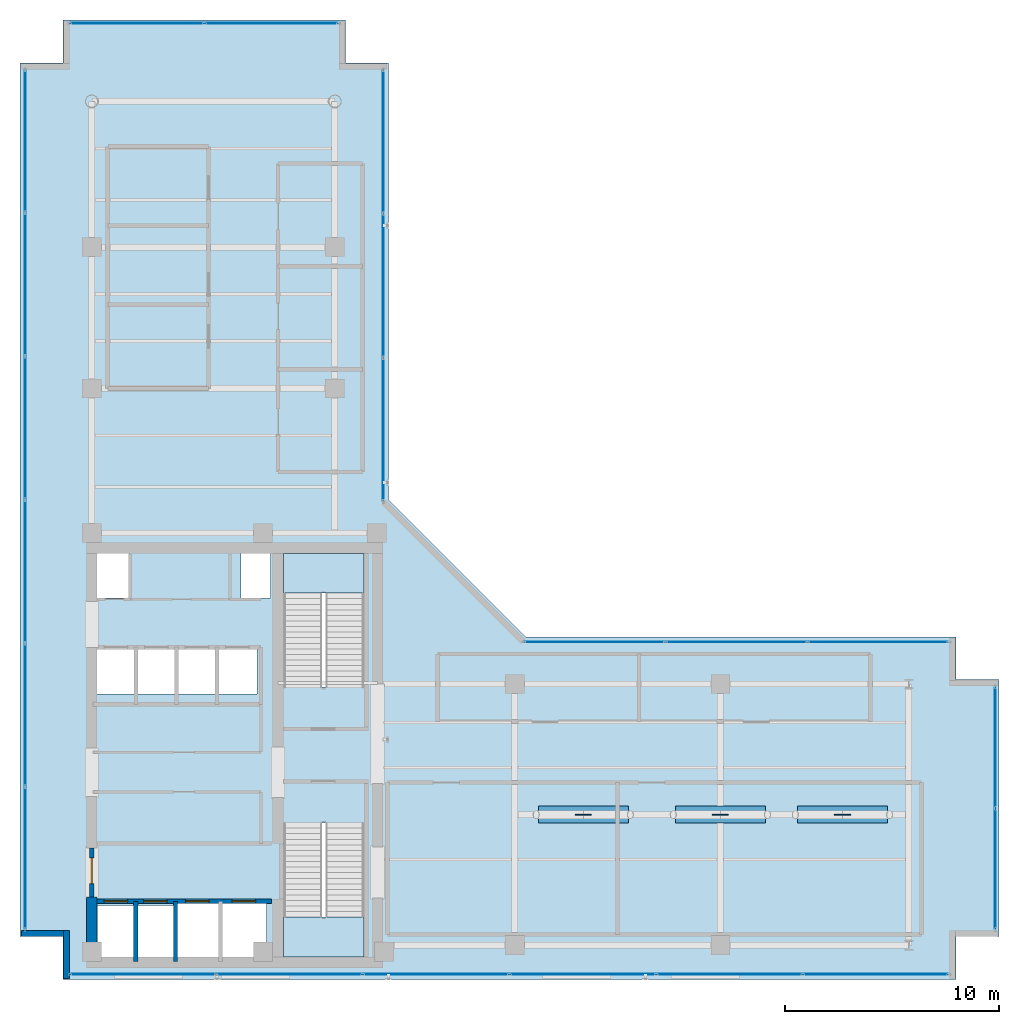
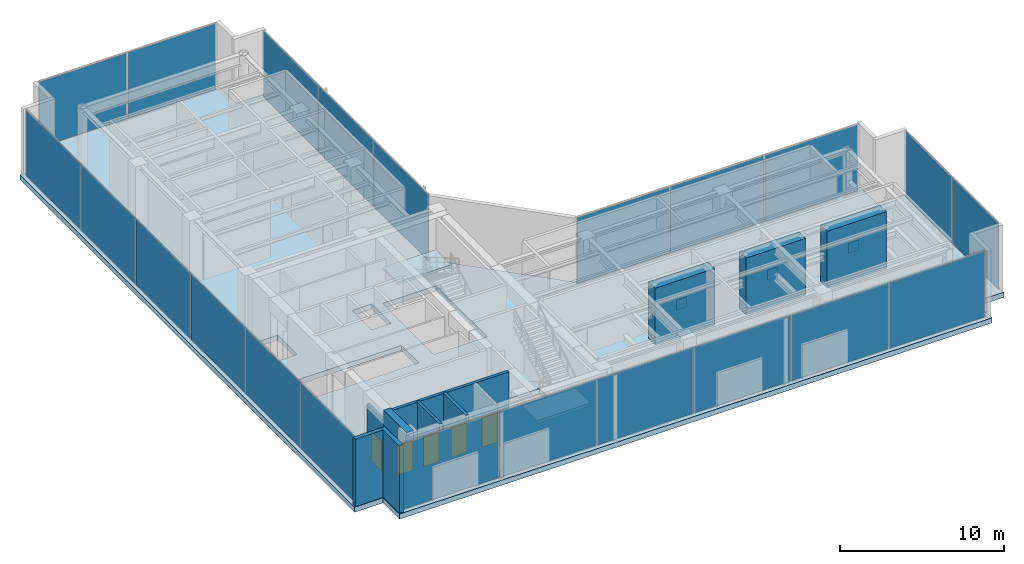
# One storey, part 24 of 29: 28 plates, 7 walls, 5 doors, 3 slabs, 5 openings, 8 elements without a shape of their own.
"""IFC4 building model written with IfcOpenShell, lengths in metres."""

from ifc_helpers import new_model, si_unit, direction, frame, frame_2d, origin, origin_with_axes, origin_2d, place, context, subcontext, project, spatial, polyline, rectangle, outline, extrude, source, transform, mapped, material, layer, layer_set, type_object, element, fill, aggregate, save


model = new_model("IFC4")

# Units and contexts
model_context = context("Model", 3, precision=1e-05, world=origin(), true_north=direction((0.0, 1.0)))
body_context = subcontext(model_context, "Body", "Model", "MODEL_VIEW")
ifc_project = project(units=[si_unit("LENGTHUNIT", "METRE"), si_unit("AREAUNIT", "SQUARE_METRE"), si_unit("VOLUMEUNIT", "CUBIC_METRE"), si_unit("PLANEANGLEUNIT", "RADIAN"), si_unit("MASSUNIT", "GRAM", prefix="KILO")], contexts=[model_context])

# Site, building, storey
site_placement = place(None, origin())
site = spatial("IfcSite", under=ifc_project, at=site_placement, CompositionType="ELEMENT")
building_placement = place(site_placement, origin())
building = spatial("IfcBuilding", under=site, at=building_placement, Name="Kolvaren Waterfront Exchange", CompositionType="ELEMENT")
storey_placement = place(building_placement, frame((0.0, 0.0, 338.800048828125)))
storey = spatial("IfcBuildingStorey", under=building, at=storey_placement, Name="L87", CompositionType="ELEMENT", Elevation=338.800048828125)

# Stair, slab
ifc_material_1 = material(Name="Concrete C40/50", Category="concrete")
stair_type = type_object("IfcStairType", Name="ARC-STAIR-5400", PredefinedType="HALF_TURN_STAIR", material=ifc_material_1)
stair_1_placement = place(storey_placement, origin())
stair_1 = element("IfcStair", 1, at=stair_1_placement, inside=storey, type_object=stair_type, Name="L87 Smoke-proof exit stair ST1", PredefinedType="HALF_TURN_STAIR")
ifc_layer_1 = layer(ifc_material_1, 0.199951171875, Name="Concrete C40/50")
ifc_layer_set_1 = layer_set([ifc_layer_1], Name="Concrete C40/50")
slab_type_1 = type_object("IfcSlabType", Name="STR-LANDING-200", PredefinedType="LANDING", material=ifc_layer_set_1)
slab_1_placement = place(storey_placement, frame((0.0, 0.0, 2.5)))
slab_1 = element("IfcSlab", 2, at=slab_1_placement, type_object=slab_type_1, Name="ST1 landing 1", PredefinedType="LANDING", context=body_context, shape_type="SweptSolid", body=[
    extrude(outline(polyline([(16.39990234375, 6.510009765625), (16.39990234375, 4.64990234375), (20.159912109375, 4.64990234375), (20.159912109375, 6.510009765625), (16.39990234375, 6.510009765625)])), origin(), (0.0, 0.0, 1.0), 0.199951171875),
])
aggregate(stair_1, [slab_1])

stair_2_placement = place(storey_placement, origin())
stair_2 = element("IfcStair", 3, at=stair_2_placement, inside=storey, type_object=stair_type, Name="L87 Smoke-proof exit stair ST2", PredefinedType="HALF_TURN_STAIR")
slab_2_placement = place(storey_placement, frame((0.0, 0.0, 2.5)))
slab_2 = element("IfcSlab", 4, at=slab_2_placement, type_object=slab_type_1, Name="ST2 landing 1", PredefinedType="LANDING", context=body_context, shape_type="SweptSolid", body=[
    extrude(outline(polyline([(20.159912109375, 21.639892578125), (20.159912109375, 23.5), (16.39990234375, 23.5), (16.39990234375, 21.639892578125), (20.159912109375, 21.639892578125)])), origin(), (0.0, 0.0, 1.0), 0.199951171875),
])
aggregate(stair_2, [slab_2])

# Slab
ifc_layer_2 = layer(ifc_material_1, 0.3798828125, Name="Concrete C40/50")
ifc_layer_set_2 = layer_set([ifc_layer_2], Name="Concrete C40/50")
slab_type_2 = type_object("IfcSlabType", Name="STR-SLAB-380", PredefinedType="FLOOR", material=ifc_layer_set_2)
slab_3_placement = place(storey_placement, frame((0.0, 0.0, -0.380126953125)))
element("IfcSlab", 5, at=slab_3_placement, inside=storey, type_object=slab_type_2, Name="L87 structural floor slab", PredefinedType="FLOOR", context=body_context, shape_type="SweptSolid", body=[
    extrude(outline(polyline([(6.10009765625, 3.60009765625), (47.800048828125, 3.60009765625), (47.800048828125, 5.60009765625), (49.800048828125, 5.60009765625), (49.800048828125, 17.60009765625), (47.800048828125, 17.60009765625), (47.800048828125, 19.60009765625), (27.699951171875, 19.60009765625), (21.300048828125, 26.0), (21.300048828125, 46.39990234375), (19.300048828125, 46.39990234375), (19.300048828125, 48.39990234375), (6.10009765625, 48.39990234375), (6.10009765625, 46.39990234375), (4.10009765625, 46.39990234375), (4.10009765625, 5.60009765625), (6.10009765625, 5.60009765625), (6.10009765625, 3.60009765625)]), holes=[polyline([(11.320068359375, 7.260009765625), (15.610107421875, 7.260009765625), (15.610107421875, 4.5400390625), (7.719970703125, 4.5400390625), (7.719970703125, 7.06005859375), (11.320068359375, 7.06005859375), (11.320068359375, 7.260009765625)]), polyline([(20.159912109375, 10.89990234375), (20.159912109375, 4.64990234375), (16.39990234375, 4.64990234375), (16.39990234375, 10.89990234375), (20.159912109375, 10.89990234375)]), polyline([(7.669921875, 19.06005859375), (15.159912109375, 19.06005859375), (15.159912109375, 16.93994140625), (7.669921875, 16.93994140625), (7.669921875, 19.06005859375)]), polyline([(16.39990234375, 17.25), (16.39990234375, 23.5), (20.159912109375, 23.5), (20.159912109375, 17.25), (16.39990234375, 17.25)]), polyline([(7.60009765625, 23.780029296875), (9.179931640625, 23.780029296875), (9.179931640625, 21.419921875), (7.60009765625, 21.419921875), (7.60009765625, 23.780029296875)]), polyline([(14.419921875, 23.780029296875), (15.800048828125, 23.780029296875), (15.800048828125, 21.419921875), (14.419921875, 21.419921875), (14.419921875, 23.780029296875)])]), origin(), (0.0, 0.0, 1.0), 0.380126953125),
])

# Plates
ifc_material_2 = material(Name="Steel S355", Category="steel")
ifc_layer_3 = layer(ifc_material_2, 0.02001953125, Name="Steel S355")
ifc_layer_set_3 = layer_set([ifc_layer_3], Name="Steel S355")
plate_type_1 = type_object("IfcPlateType", Name="STR-PL-WT", PredefinedType="SHEET", material=ifc_layer_set_3)
shared_shape_1 = source(origin_with_axes(), body_context, "Body", "SweptSolid", [
    extrude(rectangle(XDim=4.199951171875, YDim=0.800048828125, at=origin_2d()), origin(), (0.0, 0.0, 1.0), 4.199951171875),
])
for number, where, z_axis, x_axis, name in (
    (6, (30.39990234375, 11.300048828125, 0.39990234375), (0.0, 0.0, 1.0), (1.0, 0.0, 0.0), "L87 shrouded WIND TURBINE 1 rotor assembly"),
    (7, (36.800048828125, 11.300048828125, 0.39990234375), (0.0, 0.0, 1.0), (1.0, 0.0, 0.0), "L87 shrouded WIND TURBINE 2 rotor assembly"),
    (8, (42.5, 11.300048828125, 0.39990234375), (0.0, 0.0, 1.0), (1.0, 0.0, 0.0), "L87 shrouded WIND TURBINE 3 rotor assembly"),
):
    element("IfcPlate", number, at=place(storey_placement, frame(where, z_axis=z_axis, x_axis=x_axis)), inside=storey, type_object=plate_type_1, Name=name, PredefinedType="SHEET", context=body_context, shape_type="MappedRepresentation", body=[
        mapped(shared_shape_1, transform((0.0, 0.0, 0.0), x_axis=(1.0, 0.0, 0.0), y_axis=(0.0, 1.0, 0.0), z_axis=(0.0, 0.0, 1.0), scale=1.0)),
    ])
ifc_material_3 = material(Name="Steel S460", Category="steel")
ifc_layer_4 = layer(ifc_material_3, 0.050048828125, Name="Steel S460")
ifc_layer_set_4 = layer_set([ifc_layer_4], Name="Steel S460")
plate_type_2 = type_object("IfcPlateType", Name="STR-PL-TN1", PredefinedType="USERDEFINED", material=ifc_layer_set_4)
shared_shape_2 = source(origin_with_axes(), body_context, "Body", "SweptSolid", [
    extrude(rectangle(XDim=0.75, YDim=0.050048828125, at=origin_2d()), origin(), (0.0, 0.0, 1.0), 0.75),
])
for number, where, z_axis, x_axis, name in (
    (9, (30.39990234375, 11.300048828125, 2.125), (0.0, 0.0, 1.0), (1.0, 0.0, 0.0), "L87 Venturi turbine portal flange cap plate 1"),
    (10, (36.800048828125, 11.300048828125, 2.125), (0.0, 0.0, 1.0), (1.0, 0.0, 0.0), "L87 Venturi turbine portal flange cap plate 2"),
    (11, (42.5, 11.300048828125, 2.125), (0.0, 0.0, 1.0), (1.0, 0.0, 0.0), "L87 Venturi turbine portal flange cap plate 3"),
):
    element("IfcPlate", number, at=place(storey_placement, frame(where, z_axis=z_axis, x_axis=x_axis)), inside=storey, type_object=plate_type_2, Name=name, ObjectType="FLANGE PLATE", PredefinedType="USERDEFINED", context=body_context, shape_type="MappedRepresentation", body=[
        mapped(shared_shape_2, transform((0.0, 0.0, 0.0), x_axis=(1.0, 0.0, 0.0), y_axis=(0.0, 1.0, 0.0), z_axis=(0.0, 0.0, 1.0), scale=1.0)),
    ])

# Curtain wall, plates
ifc_material_4 = material(Name="Anodised dark bronze spandrel aluminium", Category="aluminium")
ifc_layer_5 = layer(ifc_material_4, 0.219970703125, Name="Anodised dark bronze spandrel aluminium")
ifc_layer_set_5 = layer_set([ifc_layer_5], Name="Anodised dark bronze spandrel aluminium")
curtain_wall_type = type_object("IfcCurtainWallType", Name="ARC-CW-SYS6", PredefinedType="USERDEFINED", material=ifc_layer_set_5)
curtain_wall_1_placement = place(storey_placement, origin())
curtain_wall_1 = element("IfcCurtainWall", 12, at=curtain_wall_1_placement, inside=storey, type_object=curtain_wall_type, Name="L87 stick curtain wall CW6 (CW-L87-S)", ObjectType="STICK CURTAIN WALL", PredefinedType="USERDEFINED")
ifc_layer_6 = layer(ifc_material_4, 0.0419921875, Name="Anodised dark bronze spandrel aluminium")
ifc_layer_set_6 = layer_set([ifc_layer_6], Name="Anodised dark bronze spandrel aluminium")
plate_type_3 = type_object("IfcPlateType", Name="ARC-CWP-42", PredefinedType="CURTAIN_PANEL", material=ifc_layer_set_6)
shared_shape_3 = source(origin_with_axes(), body_context, "Body", "SweptSolid", [
    extrude(rectangle(XDim=6.737548828125, YDim=0.0419921875, at=origin_2d()), origin(), (0.0, 0.0, 1.0), 4.889892578125),
])
plate_1_placement = place(storey_placement, frame((9.84375, 3.840087890625, 0.06494140625), z_axis=(0.0, 0.0, 1.0), x_axis=(1.0, 0.0, 0.0)))
plate_1 = element("IfcPlate", 13, at=plate_1_placement, type_object=plate_type_3, Name="CW6 panel 1.1", PredefinedType="CURTAIN_PANEL", context=body_context, shape_type="MappedRepresentation", body=[
    mapped(shared_shape_3, transform((0.0, 0.0, 0.0), x_axis=(1.0, 0.0, 0.0), y_axis=(0.0, 1.0, 0.0), z_axis=(0.0, 0.0, 1.0), scale=1.0)),
])
plate_2_placement = place(storey_placement, frame((44.05615234375, 3.840087890625, 0.06494140625), z_axis=(0.0, 0.0, 1.0), x_axis=(1.0, 0.0, 0.0)))
plate_2 = element("IfcPlate", 14, at=plate_2_placement, type_object=plate_type_3, Name="CW6 panel 6.1", PredefinedType="CURTAIN_PANEL", context=body_context, shape_type="MappedRepresentation", body=[
    mapped(shared_shape_3, transform((0.0, 0.0, 0.0), x_axis=(1.0, 0.0, 0.0), y_axis=(0.0, 1.0, 0.0), z_axis=(0.0, 0.0, 1.0), scale=1.0)),
])
shared_shape_4 = source(origin_with_axes(), body_context, "Body", "SweptSolid", [
    extrude(rectangle(XDim=6.77490234375, YDim=0.0419921875, at=origin_2d()), origin(), (0.0, 0.0, 1.0), 4.889892578125),
])
plate_3_placement = place(storey_placement, frame((16.675048828125, 3.840087890625, 0.06494140625), z_axis=(0.0, 0.0, 1.0), x_axis=(1.0, 0.0, 0.0)))
plate_3 = element("IfcPlate", 15, at=plate_3_placement, type_object=plate_type_3, Name="CW6 panel 2.1", PredefinedType="CURTAIN_PANEL", context=body_context, shape_type="MappedRepresentation", body=[
    mapped(shared_shape_4, transform((0.0, 0.0, 0.0), x_axis=(1.0, 0.0, 0.0), y_axis=(0.0, 1.0, 0.0), z_axis=(0.0, 0.0, 1.0), scale=1.0)),
])
plate_4_placement = place(storey_placement, frame((23.52490234375, 3.840087890625, 0.06494140625), z_axis=(0.0, 0.0, 1.0), x_axis=(1.0, 0.0, 0.0)))
plate_4 = element("IfcPlate", 16, at=plate_4_placement, type_object=plate_type_3, Name="CW6 panel 3.1", PredefinedType="CURTAIN_PANEL", context=body_context, shape_type="MappedRepresentation", body=[
    mapped(shared_shape_4, transform((0.0, 0.0, 0.0), x_axis=(1.0, 0.0, 0.0), y_axis=(0.0, 1.0, 0.0), z_axis=(0.0, 0.0, 1.0), scale=1.0)),
])
plate_5_placement = place(storey_placement, frame((30.375, 3.840087890625, 0.06494140625), z_axis=(0.0, 0.0, 1.0), x_axis=(1.0, 0.0, 0.0)))
plate_5 = element("IfcPlate", 17, at=plate_5_placement, type_object=plate_type_3, Name="CW6 panel 4.1", PredefinedType="CURTAIN_PANEL", context=body_context, shape_type="MappedRepresentation", body=[
    mapped(shared_shape_4, transform((0.0, 0.0, 0.0), x_axis=(1.0, 0.0, 0.0), y_axis=(0.0, 1.0, 0.0), z_axis=(0.0, 0.0, 1.0), scale=1.0)),
])
plate_6_placement = place(storey_placement, frame((37.22509765625, 3.840087890625, 0.06494140625), z_axis=(0.0, 0.0, 1.0), x_axis=(1.0, 0.0, 0.0)))
plate_6 = element("IfcPlate", 18, at=plate_6_placement, type_object=plate_type_3, Name="CW6 panel 5.1", PredefinedType="CURTAIN_PANEL", context=body_context, shape_type="MappedRepresentation", body=[
    mapped(shared_shape_4, transform((0.0, 0.0, 0.0), x_axis=(1.0, 0.0, 0.0), y_axis=(0.0, 1.0, 0.0), z_axis=(0.0, 0.0, 1.0), scale=1.0)),
])
aggregate(curtain_wall_1, [plate_1, plate_3, plate_4, plate_5, plate_6, plate_2])

curtain_wall_2_placement = place(storey_placement, origin())
curtain_wall_2 = element("IfcCurtainWall", 19, at=curtain_wall_2_placement, inside=storey, type_object=curtain_wall_type, Name="L87 stick curtain wall CW6 (CW-L87-W)", ObjectType="STICK CURTAIN WALL", PredefinedType="USERDEFINED")
shared_shape_5 = source(origin_with_axes(), body_context, "Body", "SweptSolid", [
    extrude(rectangle(XDim=6.58740234375, YDim=0.0419921875, at=origin_2d()), origin(), (0.0, 0.0, 1.0), 4.889892578125),
])
plate_7_placement = place(storey_placement, frame((4.340087890625, 9.268798828125, 0.06494140625), z_axis=(0.0, 0.0, 1.0), x_axis=(0.0, 1.0, 0.0)))
plate_7 = element("IfcPlate", 20, at=plate_7_placement, type_object=plate_type_3, Name="CW6 panel 1.1", PredefinedType="CURTAIN_PANEL", context=body_context, shape_type="MappedRepresentation", body=[
    mapped(shared_shape_5, transform((0.0, 0.0, 0.0), x_axis=(1.0, 0.0, 0.0), y_axis=(0.0, 1.0, 0.0), z_axis=(0.0, 0.0, 1.0), scale=1.0)),
])
plate_8_placement = place(storey_placement, frame((4.340087890625, 42.731201171875, 0.06494140625), z_axis=(0.0, 0.0, 1.0), x_axis=(0.0, 1.0, 0.0)))
plate_8 = element("IfcPlate", 21, at=plate_8_placement, type_object=plate_type_3, Name="CW6 panel 6.1", PredefinedType="CURTAIN_PANEL", context=body_context, shape_type="MappedRepresentation", body=[
    mapped(shared_shape_5, transform((0.0, 0.0, 0.0), x_axis=(1.0, 0.0, 0.0), y_axis=(0.0, 1.0, 0.0), z_axis=(0.0, 0.0, 1.0), scale=1.0)),
])
shared_shape_6 = source(origin_with_axes(), body_context, "Body", "SweptSolid", [
    extrude(rectangle(XDim=6.625, YDim=0.0419921875, at=origin_2d()), origin(), (0.0, 0.0, 1.0), 4.889892578125),
])
plate_9_placement = place(storey_placement, frame((4.340087890625, 15.949951171875, 0.06494140625), z_axis=(0.0, 0.0, 1.0), x_axis=(0.0, 1.0, 0.0)))
plate_9 = element("IfcPlate", 22, at=plate_9_placement, type_object=plate_type_3, Name="CW6 panel 2.1", PredefinedType="CURTAIN_PANEL", context=body_context, shape_type="MappedRepresentation", body=[
    mapped(shared_shape_6, transform((0.0, 0.0, 0.0), x_axis=(1.0, 0.0, 0.0), y_axis=(0.0, 1.0, 0.0), z_axis=(0.0, 0.0, 1.0), scale=1.0)),
])
plate_10_placement = place(storey_placement, frame((4.340087890625, 22.64990234375, 0.06494140625), z_axis=(0.0, 0.0, 1.0), x_axis=(0.0, 1.0, 0.0)))
plate_10 = element("IfcPlate", 23, at=plate_10_placement, type_object=plate_type_3, Name="CW6 panel 3.1", PredefinedType="CURTAIN_PANEL", context=body_context, shape_type="MappedRepresentation", body=[
    mapped(shared_shape_6, transform((0.0, 0.0, 0.0), x_axis=(1.0, 0.0, 0.0), y_axis=(0.0, 1.0, 0.0), z_axis=(0.0, 0.0, 1.0), scale=1.0)),
])
plate_11_placement = place(storey_placement, frame((4.340087890625, 29.35009765625, 0.06494140625), z_axis=(0.0, 0.0, 1.0), x_axis=(0.0, 1.0, 0.0)))
plate_11 = element("IfcPlate", 24, at=plate_11_placement, type_object=plate_type_3, Name="CW6 panel 4.1", PredefinedType="CURTAIN_PANEL", context=body_context, shape_type="MappedRepresentation", body=[
    mapped(shared_shape_6, transform((0.0, 0.0, 0.0), x_axis=(1.0, 0.0, 0.0), y_axis=(0.0, 1.0, 0.0), z_axis=(0.0, 0.0, 1.0), scale=1.0)),
])
plate_12_placement = place(storey_placement, frame((4.340087890625, 36.050048828125, 0.06494140625), z_axis=(0.0, 0.0, 1.0), x_axis=(0.0, 1.0, 0.0)))
plate_12 = element("IfcPlate", 25, at=plate_12_placement, type_object=plate_type_3, Name="CW6 panel 5.1", PredefinedType="CURTAIN_PANEL", context=body_context, shape_type="MappedRepresentation", body=[
    mapped(shared_shape_6, transform((0.0, 0.0, 0.0), x_axis=(1.0, 0.0, 0.0), y_axis=(0.0, 1.0, 0.0), z_axis=(0.0, 0.0, 1.0), scale=1.0)),
])
aggregate(curtain_wall_2, [plate_7, plate_9, plate_10, plate_11, plate_12, plate_8])

curtain_wall_3_placement = place(storey_placement, origin())
curtain_wall_3 = element("IfcCurtainWall", 26, at=curtain_wall_3_placement, inside=storey, type_object=curtain_wall_type, Name="L87 stick curtain wall CW6 (CW-L87-NE)", ObjectType="STICK CURTAIN WALL", PredefinedType="USERDEFINED")
shared_shape_7 = source(origin_with_axes(), body_context, "Body", "SweptSolid", [
    extrude(rectangle(XDim=6.624267578125, YDim=0.0419921875, at=origin_2d()), origin(), (0.0, 0.0, 1.0), 4.889892578125),
])
plate_13_placement = place(storey_placement, frame((21.06005859375, 29.277099609375, 0.06494140625), z_axis=(0.0, 0.0, 1.0), x_axis=(0.0, 1.0, 0.0)))
plate_13 = element("IfcPlate", 27, at=plate_13_placement, type_object=plate_type_3, Name="CW6 panel 1.1", PredefinedType="CURTAIN_PANEL", context=body_context, shape_type="MappedRepresentation", body=[
    mapped(shared_shape_7, transform((0.0, 0.0, 0.0), x_axis=(1.0, 0.0, 0.0), y_axis=(0.0, 1.0, 0.0), z_axis=(0.0, 0.0, 1.0), scale=1.0)),
])
plate_14_placement = place(storey_placement, frame((21.06005859375, 42.712890625, 0.06494140625), z_axis=(0.0, 0.0, 1.0), x_axis=(0.0, 1.0, 0.0)))
plate_14 = element("IfcPlate", 28, at=plate_14_placement, type_object=plate_type_3, Name="CW6 panel 3.1", PredefinedType="CURTAIN_PANEL", context=body_context, shape_type="MappedRepresentation", body=[
    mapped(shared_shape_7, transform((0.0, 0.0, 0.0), x_axis=(1.0, 0.0, 0.0), y_axis=(0.0, 1.0, 0.0), z_axis=(0.0, 0.0, 1.0), scale=1.0)),
])
shared_shape_8 = source(origin_with_axes(), body_context, "Body", "SweptSolid", [
    extrude(rectangle(XDim=6.66162109375, YDim=0.0419921875, at=origin_2d()), origin(), (0.0, 0.0, 1.0), 4.889892578125),
])
plate_15_placement = place(storey_placement, frame((21.06005859375, 35.9951171875, 0.06494140625), z_axis=(0.0, 0.0, 1.0), x_axis=(0.0, 1.0, 0.0)))
plate_15 = element("IfcPlate", 29, at=plate_15_placement, type_object=plate_type_3, Name="CW6 panel 2.1", PredefinedType="CURTAIN_PANEL", context=body_context, shape_type="MappedRepresentation", body=[
    mapped(shared_shape_8, transform((0.0, 0.0, 0.0), x_axis=(1.0, 0.0, 0.0), y_axis=(0.0, 1.0, 0.0), z_axis=(0.0, 0.0, 1.0), scale=1.0)),
])
aggregate(curtain_wall_3, [plate_13, plate_15, plate_14])

curtain_wall_4_placement = place(storey_placement, origin())
curtain_wall_4 = element("IfcCurtainWall", 30, at=curtain_wall_4_placement, inside=storey, type_object=curtain_wall_type, Name="L87 stick curtain wall CW6 (CW-L87-EN)", ObjectType="STICK CURTAIN WALL", PredefinedType="USERDEFINED")
shared_shape_9 = source(origin_with_axes(), body_context, "Body", "SweptSolid", [
    extrude(rectangle(XDim=6.524169921875, YDim=0.0419921875, at=origin_2d()), origin(), (0.0, 0.0, 1.0), 4.889892578125),
])
plate_16_placement = place(storey_placement, frame((30.927001953125, 19.360107421875, 0.06494140625), z_axis=(0.0, 0.0, 1.0), x_axis=(1.0, 0.0, 0.0)))
plate_16 = element("IfcPlate", 31, at=plate_16_placement, type_object=plate_type_3, Name="CW6 panel 1.1", PredefinedType="CURTAIN_PANEL", context=body_context, shape_type="MappedRepresentation", body=[
    mapped(shared_shape_9, transform((0.0, 0.0, 0.0), x_axis=(1.0, 0.0, 0.0), y_axis=(0.0, 1.0, 0.0), z_axis=(0.0, 0.0, 1.0), scale=1.0)),
])
plate_17_placement = place(storey_placement, frame((44.162841796875, 19.360107421875, 0.06494140625), z_axis=(0.0, 0.0, 1.0), x_axis=(1.0, 0.0, 0.0)))
plate_17 = element("IfcPlate", 32, at=plate_17_placement, type_object=plate_type_3, Name="CW6 panel 3.1", PredefinedType="CURTAIN_PANEL", context=body_context, shape_type="MappedRepresentation", body=[
    mapped(shared_shape_9, transform((0.0, 0.0, 0.0), x_axis=(1.0, 0.0, 0.0), y_axis=(0.0, 1.0, 0.0), z_axis=(0.0, 0.0, 1.0), scale=1.0)),
])
shared_shape_10 = source(origin_with_axes(), body_context, "Body", "SweptSolid", [
    extrude(rectangle(XDim=6.561767578125, YDim=0.0419921875, at=origin_2d()), origin(), (0.0, 0.0, 1.0), 4.889892578125),
])
plate_18_placement = place(storey_placement, frame((37.544921875, 19.360107421875, 0.06494140625), z_axis=(0.0, 0.0, 1.0), x_axis=(1.0, 0.0, 0.0)))
plate_18 = element("IfcPlate", 33, at=plate_18_placement, type_object=plate_type_3, Name="CW6 panel 2.1", PredefinedType="CURTAIN_PANEL", context=body_context, shape_type="MappedRepresentation", body=[
    mapped(shared_shape_10, transform((0.0, 0.0, 0.0), x_axis=(1.0, 0.0, 0.0), y_axis=(0.0, 1.0, 0.0), z_axis=(0.0, 0.0, 1.0), scale=1.0)),
])
aggregate(curtain_wall_4, [plate_16, plate_18, plate_17])

curtain_wall_5_placement = place(storey_placement, origin())
curtain_wall_5 = element("IfcCurtainWall", 34, at=curtain_wall_5_placement, inside=storey, type_object=curtain_wall_type, Name="L87 stick curtain wall CW6 (CW-L87-ET)", ObjectType="STICK CURTAIN WALL", PredefinedType="USERDEFINED")
shared_shape_11 = source(origin_with_axes(), body_context, "Body", "SweptSolid", [
    extrude(rectangle(XDim=5.58740234375, YDim=0.0419921875, at=origin_2d()), origin(), (0.0, 0.0, 1.0), 4.889892578125),
])
plate_19_placement = place(storey_placement, frame((49.639892578125, 8.768798828125, 0.06494140625), z_axis=(0.0, 0.0, 1.0), x_axis=(0.0, 1.0, 0.0)))
plate_19 = element("IfcPlate", 35, at=plate_19_placement, type_object=plate_type_3, Name="CW6 panel 1.1", PredefinedType="CURTAIN_PANEL", context=body_context, shape_type="MappedRepresentation", body=[
    mapped(shared_shape_11, transform((0.0, 0.0, 0.0), x_axis=(1.0, 0.0, 0.0), y_axis=(0.0, 1.0, 0.0), z_axis=(0.0, 0.0, 1.0), scale=1.0)),
])
plate_20_placement = place(storey_placement, frame((49.639892578125, 14.43115234375, 0.06494140625), z_axis=(0.0, 0.0, 1.0), x_axis=(0.0, 1.0, 0.0)))
plate_20 = element("IfcPlate", 36, at=plate_20_placement, type_object=plate_type_3, Name="CW6 panel 2.1", PredefinedType="CURTAIN_PANEL", context=body_context, shape_type="MappedRepresentation", body=[
    mapped(shared_shape_11, transform((0.0, 0.0, 0.0), x_axis=(1.0, 0.0, 0.0), y_axis=(0.0, 1.0, 0.0), z_axis=(0.0, 0.0, 1.0), scale=1.0)),
])
aggregate(curtain_wall_5, [plate_19, plate_20])

curtain_wall_6_placement = place(storey_placement, origin())
curtain_wall_6 = element("IfcCurtainWall", 37, at=curtain_wall_6_placement, inside=storey, type_object=curtain_wall_type, Name="L87 stick curtain wall CW6 (CW-L87-NT)", ObjectType="STICK CURTAIN WALL", PredefinedType="USERDEFINED")
shared_shape_12 = source(origin_with_axes(), body_context, "Body", "SweptSolid", [
    extrude(rectangle(XDim=6.1875, YDim=0.0419921875, at=origin_2d()), origin(), (0.0, 0.0, 1.0), 4.889892578125),
])
plate_21_placement = place(storey_placement, frame((9.56884765625, 48.239990234375, 0.06494140625), z_axis=(0.0, 0.0, 1.0), x_axis=(1.0, 0.0, 0.0)))
plate_21 = element("IfcPlate", 38, at=plate_21_placement, type_object=plate_type_3, Name="CW6 panel 1.1", PredefinedType="CURTAIN_PANEL", context=body_context, shape_type="MappedRepresentation", body=[
    mapped(shared_shape_12, transform((0.0, 0.0, 0.0), x_axis=(1.0, 0.0, 0.0), y_axis=(0.0, 1.0, 0.0), z_axis=(0.0, 0.0, 1.0), scale=1.0)),
])
plate_22_placement = place(storey_placement, frame((15.831298828125, 48.239990234375, 0.06494140625), z_axis=(0.0, 0.0, 1.0), x_axis=(1.0, 0.0, 0.0)))
plate_22 = element("IfcPlate", 39, at=plate_22_placement, type_object=plate_type_3, Name="CW6 panel 2.1", PredefinedType="CURTAIN_PANEL", context=body_context, shape_type="MappedRepresentation", body=[
    mapped(shared_shape_12, transform((0.0, 0.0, 0.0), x_axis=(1.0, 0.0, 0.0), y_axis=(0.0, 1.0, 0.0), z_axis=(0.0, 0.0, 1.0), scale=1.0)),
])
aggregate(curtain_wall_6, [plate_21, plate_22])

# Walls
ifc_material_5 = material(Name="Precast concrete C40/50", Category="concrete")
ifc_layer_7 = layer(ifc_material_5, 0.280029296875, Name="Precast concrete C40/50")
ifc_layer_set_7 = layer_set([ifc_layer_7], Name="Precast concrete C40/50")
wall_type_1 = type_object("IfcWallType", Name="ARC-EXT-TERR-280", PredefinedType="SOLIDWALL", material=ifc_layer_set_7)
wall_1_placement = place(storey_placement, frame((6.260009765625, 3.659912109375, 0.0), z_axis=(0.0, 0.0, 1.0), x_axis=(0.0, 1.0, 0.0)))
element("IfcWall", 40, at=wall_1_placement, inside=storey, type_object=wall_type_1, Name="L87 notched corner spandrel pier SW-A", PredefinedType="SOLIDWALL", context=body_context, shape_type="SweptSolid", body=[
    extrude(rectangle(XDim=2.239990234375, YDim=0.280029296875, at=frame_2d((1.1201171875, 0.0))), origin(), (0.0, 0.0, 1.0), 5.02001953125),
])
wall_2_placement = place(storey_placement, frame((4.159912109375, 5.760009765625, 0.0), z_axis=(0.0, 0.0, 1.0), x_axis=(1.0, 0.0, 0.0)))
element("IfcWall", 41, at=wall_2_placement, inside=storey, type_object=wall_type_1, Name="L87 notched corner spandrel pier SW-B", PredefinedType="SOLIDWALL", context=body_context, shape_type="SweptSolid", body=[
    extrude(rectangle(XDim=1.960205078125, YDim=0.280029296875, at=frame_2d((0.97998046875, 0.0))), origin(), (0.0, 0.0, 1.0), 5.02001953125),
])

# Wall, opening, door
ifc_layer_8 = layer(ifc_material_5, 0.199951171875, Name="Precast concrete C40/50")
ifc_layer_set_8 = layer_set([ifc_layer_8], Name="Precast concrete C40/50")
wall_type_2 = type_object("IfcWallType", Name="ARC-FIRE-200", PredefinedType="PARTITIONING", material=ifc_layer_set_8)
wall_3_placement = place(storey_placement, frame((7.449951171875, 7.449951171875, 0.0), z_axis=(0.0, 0.0, 1.0), x_axis=(0.0, 1.0, 0.0)))
wall_3 = element("IfcWall", 42, at=wall_3_placement, inside=storey, type_object=wall_type_2, Name="L87 interior wall PW-L87-FF-W-DOOR", PredefinedType="PARTITIONING", context=body_context, shape_type="SweptSolid", body=[
    extrude(rectangle(XDim=2.300048828125, YDim=0.199951171875, at=frame_2d((1.14990234375, 0.0))), origin(), (0.0, 0.0, 1.0), 4.0),
])
opening_1_placement = place(wall_3_placement, frame((0.63330078125, 0.0, 0.0)))
opening_1 = element("IfcOpeningElement", 43, at=opening_1_placement, cuts=wall_3, Name="Opening FD3", PredefinedType="OPENING", context=body_context, shape_type="SweptSolid", body=[
    extrude(rectangle(XDim=1.199951171875, YDim=2.25, at=frame_2d((0.60009765625, 1.125))), frame((0.0, 0.10986328125, 0.0), z_axis=(0.0, -1.0, 0.0), x_axis=(1.0, 0.0, 0.0)), (0.0, 0.0, 1.0), 0.219970703125),
])
ifc_material_6 = material(Name="Pressed steel fire door", Category="steel")
door_type_1 = type_object("IfcDoorType", Name="ARC-FD-1200", OperationType="NOTDEFINED", PredefinedType="DOOR", material=ifc_material_6)
door_1_placement = place(opening_1_placement, frame((1.199951171875, 0.0, 0.0), z_axis=(0.0, 0.0, 1.0), x_axis=(-1.0, 0.0, 0.0)))
door_1 = element("IfcDoor", 44, at=door_1_placement, inside=storey, type_object=door_type_1, Name="L87 door DR-L87-FF-OUT (FD3)", OperationType="SINGLE_SWING_RIGHT", OverallHeight=2.25, OverallWidth=1.199951171875, PredefinedType="DOOR", context=body_context, shape_type="SweptSolid", body=[
    extrude(rectangle(XDim=1.199951171875, YDim=2.25, at=frame_2d((0.60009765625, 1.125))), frame((0.0, 0.02490234375, 0.0), z_axis=(0.0, -1.0, 0.0), x_axis=(1.0, 0.0, 0.0)), (0.0, 0.0, 1.0), 0.050048828125),
])
fill(opening_1, door_1)

# Wall, openings, doors
ifc_layer_9 = layer(ifc_material_1, 0.199951171875, Name="Concrete C40/50")
ifc_layer_set_9 = layer_set([ifc_layer_9], Name="Concrete C40/50")
wall_type_3 = type_object("IfcWallType", Name="ARC-SHAFT-200", PredefinedType="PARTITIONING", material=ifc_layer_set_9)
wall_4_placement = place(storey_placement, frame((7.5, 7.25, 0.0), z_axis=(0.0, 0.0, 1.0), x_axis=(1.0, 0.0, 0.0)))
wall_4 = element("IfcWall", 45, at=wall_4_placement, inside=storey, type_object=wall_type_3, Name="L87 interior wall PW-L87-FF-S", PredefinedType="PARTITIONING", context=body_context, shape_type="SweptSolid", body=[
    extrude(rectangle(XDim=8.35009765625, YDim=0.199951171875, at=frame_2d((4.175048828125, 0.0))), origin(), (0.0, 0.0, 1.0), 5.02001953125),
])
opening_2_placement = place(wall_4_placement, frame((0.530029296875, 0.0, 0.0)))
opening_2 = element("IfcOpeningElement", 46, at=opening_2_placement, cuts=wall_4, Name="Opening LD1", PredefinedType="OPENING", context=body_context, shape_type="SweptSolid", body=[
    extrude(rectangle(XDim=1.10009765625, YDim=2.199951171875, at=frame_2d((0.550048828125, 1.10009765625))), frame((0.0, 0.10986328125, 0.0), z_axis=(0.0, -1.0, 0.0), x_axis=(1.0, 0.0, 0.0)), (0.0, 0.0, 1.0), 0.219970703125),
])
opening_3_placement = place(wall_4_placement, frame((2.3701171875, 0.0, 0.0)))
opening_3 = element("IfcOpeningElement", 47, at=opening_3_placement, cuts=wall_4, Name="Opening LD1", PredefinedType="OPENING", context=body_context, shape_type="SweptSolid", body=[
    extrude(rectangle(XDim=1.10009765625, YDim=2.199951171875, at=frame_2d((0.550048828125, 1.10009765625))), frame((0.0, 0.10986328125, 0.0), z_axis=(0.0, -1.0, 0.0), x_axis=(1.0, 0.0, 0.0)), (0.0, 0.0, 1.0), 0.219970703125),
])
opening_4_placement = place(wall_4_placement, frame((4.330078125, 0.0, 0.0)))
opening_4 = element("IfcOpeningElement", 48, at=opening_4_placement, cuts=wall_4, Name="Opening LD1", PredefinedType="OPENING", context=body_context, shape_type="SweptSolid", body=[
    extrude(rectangle(XDim=1.10009765625, YDim=2.199951171875, at=frame_2d((0.550048828125, 1.10009765625))), frame((0.0, 0.10986328125, 0.0), z_axis=(0.0, -1.0, 0.0), x_axis=(1.0, 0.0, 0.0)), (0.0, 0.0, 1.0), 0.219970703125),
])
opening_5_placement = place(wall_4_placement, frame((6.5, 0.0, 0.0)))
opening_5 = element("IfcOpeningElement", 49, at=opening_5_placement, cuts=wall_4, Name="Opening LD1", PredefinedType="OPENING", context=body_context, shape_type="SweptSolid", body=[
    extrude(rectangle(XDim=1.10009765625, YDim=2.199951171875, at=frame_2d((0.550048828125, 1.10009765625))), frame((0.0, 0.10986328125, 0.0), z_axis=(0.0, -1.0, 0.0), x_axis=(1.0, 0.0, 0.0)), (0.0, 0.0, 1.0), 0.219970703125),
])
ifc_material_7 = material(Name="Stainless steel sliding landing door", Category="steel")
door_type_2 = type_object("IfcDoorType", Name="ARC-LD-FF", OperationType="SLIDING_TO_LEFT", PredefinedType="DOOR", material=ifc_material_7)
door_2_placement = place(opening_2_placement, origin())
door_2 = element("IfcDoor", 50, at=door_2_placement, inside=storey, type_object=door_type_2, Name="L87 door LD-L87-FFL1 (LD1)", OperationType="SLIDING_TO_LEFT", OverallHeight=2.199951171875, OverallWidth=1.10009765625, PredefinedType="DOOR", context=body_context, shape_type="SweptSolid", body=[
    extrude(rectangle(XDim=1.10009765625, YDim=2.199951171875, at=frame_2d((0.550048828125, 1.10009765625))), frame((0.0, 0.02490234375, 0.0), z_axis=(0.0, -1.0, 0.0), x_axis=(1.0, 0.0, 0.0)), (0.0, 0.0, 1.0), 0.050048828125),
])
fill(opening_2, door_2)
door_3_placement = place(opening_3_placement, origin())
door_3 = element("IfcDoor", 51, at=door_3_placement, inside=storey, type_object=door_type_2, Name="L87 door LD-L87-FFL2 (LD1)", OperationType="SLIDING_TO_LEFT", OverallHeight=2.199951171875, OverallWidth=1.10009765625, PredefinedType="DOOR", context=body_context, shape_type="SweptSolid", body=[
    extrude(rectangle(XDim=1.10009765625, YDim=2.199951171875, at=frame_2d((0.550048828125, 1.10009765625))), frame((0.0, 0.02490234375, 0.0), z_axis=(0.0, -1.0, 0.0), x_axis=(1.0, 0.0, 0.0)), (0.0, 0.0, 1.0), 0.050048828125),
])
fill(opening_3, door_3)
door_4_placement = place(opening_4_placement, origin())
door_4 = element("IfcDoor", 52, at=door_4_placement, inside=storey, type_object=door_type_2, Name="L87 door LD-L87-GL1 (LD1)", OperationType="SLIDING_TO_LEFT", OverallHeight=2.199951171875, OverallWidth=1.10009765625, PredefinedType="DOOR", context=body_context, shape_type="SweptSolid", body=[
    extrude(rectangle(XDim=1.10009765625, YDim=2.199951171875, at=frame_2d((0.550048828125, 1.10009765625))), frame((0.0, 0.02490234375, 0.0), z_axis=(0.0, -1.0, 0.0), x_axis=(1.0, 0.0, 0.0)), (0.0, 0.0, 1.0), 0.050048828125),
])
fill(opening_4, door_4)
door_5_placement = place(opening_5_placement, origin())
door_5 = element("IfcDoor", 53, at=door_5_placement, inside=storey, type_object=door_type_2, Name="L87 door LD-L87-GL2 (LD1)", OperationType="SLIDING_TO_LEFT", OverallHeight=2.199951171875, OverallWidth=1.10009765625, PredefinedType="DOOR", context=body_context, shape_type="SweptSolid", body=[
    extrude(rectangle(XDim=1.10009765625, YDim=2.199951171875, at=frame_2d((0.550048828125, 1.10009765625))), frame((0.0, 0.02490234375, 0.0), z_axis=(0.0, -1.0, 0.0), x_axis=(1.0, 0.0, 0.0)), (0.0, 0.0, 1.0), 0.050048828125),
])
fill(opening_5, door_5)

# Walls
for number, where, z_axis, x_axis, name in (
    (54, (9.5, 4.449951171875, 0.0), (0.0, 0.0, 1.0), (0.0, 1.0, 0.0), "L87 interior wall PW-L87-SH1-DIV-95"),
    (55, (11.360107421875, 4.449951171875, 0.0), (0.0, 0.0, 1.0), (0.0, 1.0, 0.0), "L87 interior wall PW-L87-SH1-DIV-113"),
):
    element("IfcWall", number, at=place(storey_placement, frame(where, z_axis=z_axis, x_axis=x_axis)), inside=storey, type_object=wall_type_3, Name=name, PredefinedType="PARTITIONING", context=body_context, shape_type="SweptSolid", body=[
        extrude(rectangle(XDim=2.800048828125, YDim=0.199951171875, at=frame_2d((1.39990234375, 0.0))), origin(), (0.0, 0.0, 1.0), 5.02001953125),
    ])
ifc_material_8 = material(Name="Concrete C50/60", Category="concrete")
ifc_layer_10 = layer(ifc_material_8, 0.5, Name="Concrete C50/60")
ifc_layer_set_10 = layer_set([ifc_layer_10], Name="Concrete C50/60")
wall_type_4 = type_object("IfcWallType", Name="STR-CWALL-500", PredefinedType="SHEAR", material=ifc_layer_set_10)
wall_5_placement = place(storey_placement, frame((7.449951171875, 4.64990234375, 0.0), z_axis=(0.0, 0.0, 1.0), x_axis=(0.0, 1.0, 0.0)))
element("IfcWall", 56, at=wall_5_placement, inside=storey, type_object=wall_type_4, Name="L87 rear-core shear wall W1", PredefinedType="SHEAR", context=body_context, shape_type="SweptSolid", body=[
    extrude(rectangle(XDim=2.800048828125, YDim=0.5, at=frame_2d((1.39990234375, 0.0))), origin(), (0.0, 0.0, 1.0), 5.02001953125),
])

save(model, "model.ifc")
